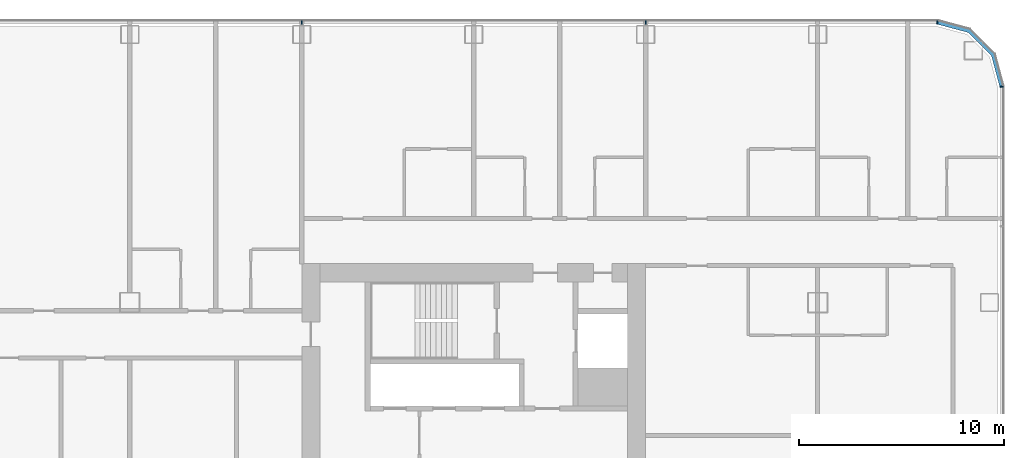
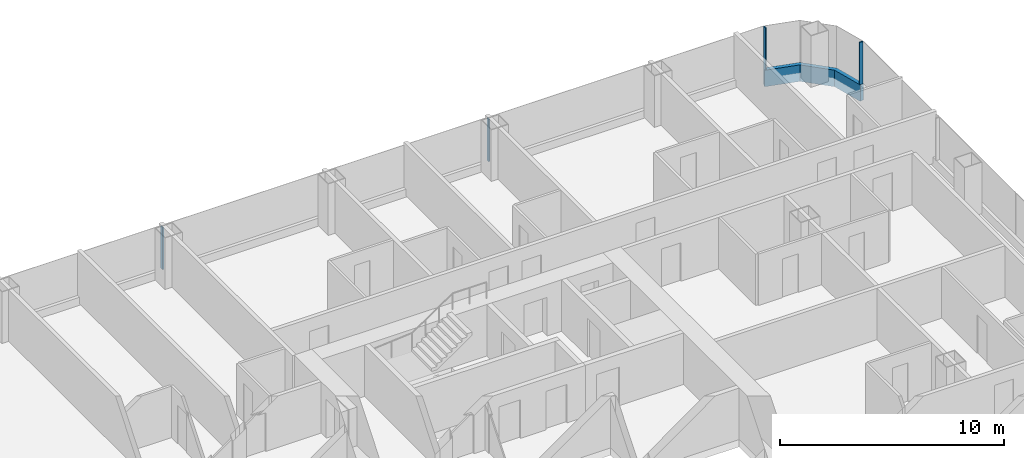
# One storey, part 11 of 28: 5 members, 3 elements without a shape of their own.
"""IFC4 building model written with IfcOpenShell, lengths in metres."""

from ifc_helpers import new_model, si_unit, direction, frame, origin, origin_2d, place, context, subcontext, project, spatial, polyline, rectangle, outline, extrude, material, layer, layer_set, material_profile, profile_set, type_object, element, aggregate, save


model = new_model("IFC4")

# Units and contexts
model_context = context("Model", 3, precision=1e-05, world=origin(), true_north=direction((0.0, 1.0)))
body_context = subcontext(model_context, "Body", "Model", "MODEL_VIEW")
ifc_project = project(units=[si_unit("LENGTHUNIT", "METRE"), si_unit("AREAUNIT", "SQUARE_METRE"), si_unit("VOLUMEUNIT", "CUBIC_METRE"), si_unit("PLANEANGLEUNIT", "RADIAN"), si_unit("MASSUNIT", "GRAM", prefix="KILO")], contexts=[model_context])

# Site, building, storey
site_placement = place(None, origin())
site = spatial("IfcSite", under=ifc_project, at=site_placement, CompositionType="ELEMENT")
building_placement = place(site_placement, origin())
building = spatial("IfcBuilding", under=site, at=building_placement, Name="Hakoniwa Tower and Hamabe Station Hall", CompositionType="ELEMENT")
storey_placement = place(building_placement, frame((0.0, 0.0, 58.199951171875)))
storey = spatial("IfcBuildingStorey", under=building, at=storey_placement, Name="L16", CompositionType="ELEMENT", Elevation=58.199951171875)

# Curtain wall, member
ifc_material_1 = material(Name="Dark low-e laminated glass", Category="glass")
ifc_layer = layer(ifc_material_1, 0.199951171875)
ifc_layer_set = layer_set([ifc_layer], Name="CW-1 UNITISED GUEST")
curtain_wall_type = type_object("IfcCurtainWallType", Name="CW-1 UNITISED GUEST", PredefinedType="NOTDEFINED", material=ifc_layer_set)
curtain_wall_1_placement = place(storey_placement, origin())
curtain_wall_1 = element("IfcCurtainWall", 1, at=curtain_wall_1_placement, inside=storey, type_object=curtain_wall_type, Name="CW-1 curtain wall", PredefinedType="NOTDEFINED")
ifc_material_2 = material(Name="Aluminium 6063-T5 black anodised", Category="aluminium")
ifc_material_profile_1 = material_profile(ifc_material_2, rectangle(XDim=0.199951171875, YDim=0.89990234375, at=origin_2d()), Name="CW SLAB-EDGE BAND 900X200")
ifc_profile_set_1 = profile_set([ifc_material_profile_1], Name="Aluminium 6063-T5 black anodised")
member_type_1 = type_object("IfcMemberType", Name="CW SLAB-EDGE BAND 900X200", PredefinedType="USERDEFINED", material=ifc_profile_set_1)
member_1_placement = place(storey_placement, frame((0.0, 0.0, -0.550048828125)))
member_1 = element("IfcMember", 2, at=member_1_placement, type_object=member_type_1, Name="CW-1 transom", ObjectType="TRANSOM", PredefinedType="USERDEFINED", context=body_context, shape_type="SweptSolid", body=[
    extrude(outline(polyline([(51.10009765625, 17.03955078125), (50.6669921875, 18.6552734375), (49.455322265625, 19.866943359375), (47.839599609375, 20.300048828125), (47.787841796875, 20.10693359375), (49.351806640625, 19.687744140625), (50.48779296875, 18.5517578125), (50.90673828125, 16.98779296875), (51.10009765625, 17.03955078125)])), origin(), (0.0, 0.0, 1.0), 0.900146484375),
])
aggregate(curtain_wall_1, [member_1])

curtain_wall_2_placement = place(storey_placement, origin())
curtain_wall_2 = element("IfcCurtainWall", 3, at=curtain_wall_2_placement, inside=storey, type_object=curtain_wall_type, Name="CW-1 curtain wall", PredefinedType="NOTDEFINED")
ifc_material_3 = material(Name="Aluminium 6063-T5 black anodised", Category="aluminium")
ifc_material_profile_2 = material_profile(ifc_material_3, rectangle(XDim=0.06005859375, YDim=0.179931640625, at=origin_2d()), Name="CW-1 MULLION 60X180")
ifc_profile_set_2 = profile_set([ifc_material_profile_2], Name="Aluminium 6063-T5 black anodised")
member_type_2 = type_object("IfcMemberType", Name="CW-1 MULLION 60X180", PredefinedType="MULLION", material=ifc_profile_set_2)
member_2_placement = place(storey_placement, frame((50.98193359375, 17.03955078125, 0.35009765625), z_axis=(0.0, 0.0, 1.0), x_axis=(0.0, 1.0, 0.0)))
member_2 = element("IfcMember", 4, at=member_2_placement, type_object=member_type_2, Name="CW-1 mullion", PredefinedType="MULLION", context=body_context, shape_type="SweptSolid", body=[
    extrude(rectangle(XDim=0.06005859375, YDim=0.179931640625, at=origin_2d()), origin(), (0.0, 0.0, 1.0), 2.300048828125),
])
aggregate(curtain_wall_2, [member_2])

# Curtain wall, members
curtain_wall_3_placement = place(storey_placement, origin())
curtain_wall_3 = element("IfcCurtainWall", 5, at=curtain_wall_3_placement, inside=storey, type_object=curtain_wall_type, Name="CW-1 curtain wall", PredefinedType="NOTDEFINED")
member_3_placement = place(storey_placement, frame((47.839599609375, 20.181884765625, 0.35009765625), z_axis=(0.0, 0.0, 1.0), x_axis=(-1.0, 0.0, 0.0)))
member_3 = element("IfcMember", 6, at=member_3_placement, type_object=member_type_2, Name="CW-1 mullion", PredefinedType="MULLION", context=body_context, shape_type="SweptSolid", body=[
    extrude(rectangle(XDim=0.06005859375, YDim=0.179931640625, at=origin_2d()), origin(), (0.0, 0.0, 1.0), 2.300048828125),
])
member_4_placement = place(storey_placement, frame((33.60009765625, 20.181884765625, 0.35009765625), z_axis=(0.0, 0.0, 1.0), x_axis=(-1.0, 0.0, 0.0)))
member_4 = element("IfcMember", 7, at=member_4_placement, type_object=member_type_2, Name="CW-1 mullion", PredefinedType="MULLION", context=body_context, shape_type="SweptSolid", body=[
    extrude(rectangle(XDim=0.06005859375, YDim=0.179931640625, at=origin_2d()), origin(), (0.0, 0.0, 1.0), 2.300048828125),
])
member_5_placement = place(storey_placement, frame((16.800048828125, 20.181884765625, 0.35009765625), z_axis=(0.0, 0.0, 1.0), x_axis=(-1.0, 0.0, 0.0)))
member_5 = element("IfcMember", 8, at=member_5_placement, type_object=member_type_2, Name="CW-1 mullion", PredefinedType="MULLION", context=body_context, shape_type="SweptSolid", body=[
    extrude(rectangle(XDim=0.06005859375, YDim=0.179931640625, at=origin_2d()), origin(), (0.0, 0.0, 1.0), 2.300048828125),
])
aggregate(curtain_wall_3, [member_3, member_4, member_5])

save(model, "model.ifc")
